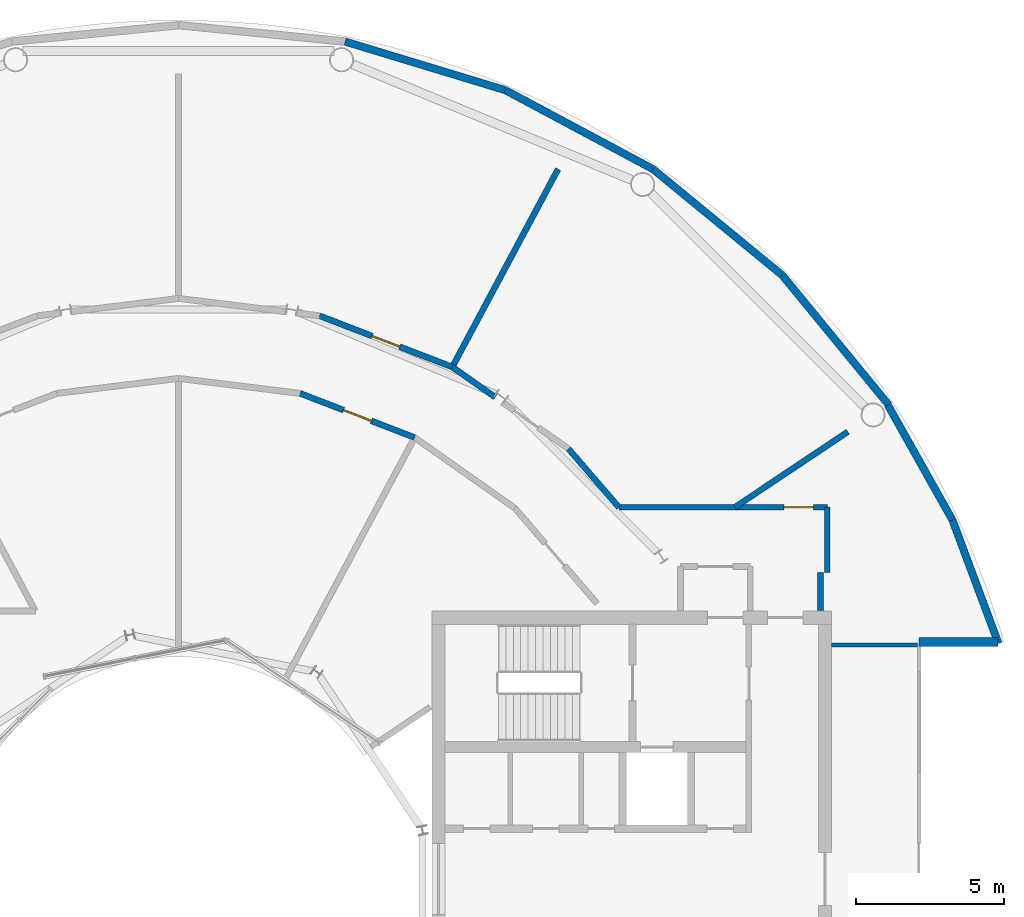
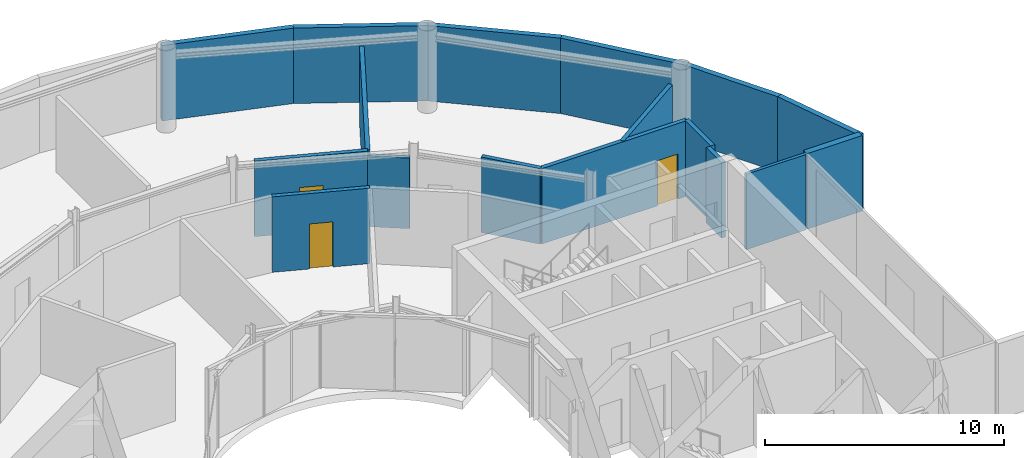
# One storey, part 16 of 19: 17 walls, 3 doors, 3 openings.
"""IFC4 building model written with IfcOpenShell, lengths in metres."""

from ifc_helpers import new_model, si_unit, direction, frame, frame_2d, origin, place, context, subcontext, project, spatial, rectangle, extrude, material, layer, layer_set, type_object, element, fill, save


model = new_model("IFC4")

# Units and contexts
model_context = context("Model", 3, precision=1e-05, world=origin(), true_north=direction((0.0, 1.0)))
body_context = subcontext(model_context, "Body", "Model", "MODEL_VIEW")
ifc_project = project(units=[si_unit("LENGTHUNIT", "METRE"), si_unit("AREAUNIT", "SQUARE_METRE"), si_unit("VOLUMEUNIT", "CUBIC_METRE"), si_unit("PLANEANGLEUNIT", "RADIAN"), si_unit("MASSUNIT", "GRAM", prefix="KILO")], contexts=[model_context])

# Site, building, storey
site_placement = place(None, origin())
site = spatial("IfcSite", under=ifc_project, at=site_placement, CompositionType="ELEMENT")
building_placement = place(site_placement, origin())
building = spatial("IfcBuilding", under=site, at=building_placement, Name="Maasbend Ring Residences", CompositionType="ELEMENT")
storey_placement = place(building_placement, frame((0.0, 0.0, 186.0)))
storey = spatial("IfcBuildingStorey", under=building, at=storey_placement, Name="L53", CompositionType="ELEMENT", Elevation=186.0)

# Walls
ifc_material_1 = material(Name="Concrete C30/37", Category="concrete")
ifc_layer_1 = layer(ifc_material_1, 0.199951171875)
ifc_layer_set_1 = layer_set([ifc_layer_1], Name="Concrete C30/37")
wall_type_1 = type_object("IfcWallType", Name="COMPARTMENT WALL 200 CONCRETE", PredefinedType="PARTITIONING", material=ifc_layer_set_1)
wall_1_placement = place(storey_placement, frame((21.89990234375, 10.35009765625, 0.0), z_axis=(0.0, 0.0, 1.0), x_axis=(0.0, 1.0, 0.0)))
element("IfcWall", 1, at=wall_1_placement, inside=storey, type_object=wall_type_1, Name="U-L53-w001", PredefinedType="PARTITIONING", context=body_context, shape_type="SweptSolid", body=[
    extrude(rectangle(XDim=2.199951171875, YDim=0.199951171875, at=frame_2d((1.10009765625, 0.0))), origin(), (0.0, 0.0, 1.0), 3.85009765625),
])
wall_2_placement = place(storey_placement, frame((21.675048828125, 9.070068359375, 0.0), z_axis=(0.0, 0.0, 1.0), x_axis=(0.0, 1.0, 0.0)))
element("IfcWall", 2, at=wall_2_placement, inside=storey, type_object=wall_type_1, Name="U-L53-w003", PredefinedType="PARTITIONING", context=body_context, shape_type="SweptSolid", body=[
    extrude(rectangle(XDim=1.280029296875, YDim=0.199951171875, at=frame_2d((0.64013671875, 0.0))), origin(), (0.0, 0.0, 1.0), 3.85009765625),
])
wall_3_placement = place(storey_placement, frame((9.241943359375, 17.284912109375, 0.0), z_axis=(0.0, 0.0, 1.0), x_axis=(0.471439510802, 0.881898399848, 0.0)))
element("IfcWall", 3, at=wall_3_placement, inside=storey, type_object=wall_type_1, Name="U-L53-w044", PredefinedType="PARTITIONING", context=body_context, shape_type="SweptSolid", body=[
    extrude(rectangle(XDim=7.57470703125, YDim=0.199951171875, at=frame_2d((3.787353515625, 0.0))), origin(), (0.0, 0.0, 1.0), 3.85009765625),
])
wall_4_placement = place(storey_placement, frame((18.781982421875, 12.550048828125, 0.0), z_axis=(0.0, 0.0, 1.0), x_axis=(0.831460118694, 0.555584440946, 0.0)))
element("IfcWall", 4, at=wall_4_placement, inside=storey, type_object=wall_type_1, Name="U-L53-w046", PredefinedType="PARTITIONING", context=body_context, shape_type="SweptSolid", body=[
    extrude(rectangle(XDim=4.5859375, YDim=0.199951171875, at=frame_2d((2.29296875, 0.0))), origin(), (0.0, 0.0, 1.0), 3.85009765625),
])

# Wall, opening, door
wall_5_placement = place(storey_placement, frame((14.864990234375, 12.550048828125, 0.0), z_axis=(0.0, 0.0, 1.0), x_axis=(1.0, 0.0, 0.0)))
wall_5 = element("IfcWall", 5, at=wall_5_placement, inside=storey, type_object=wall_type_1, Name="U-L53-w052", PredefinedType="PARTITIONING", context=body_context, shape_type="SweptSolid", body=[
    extrude(rectangle(XDim=7.034912109375, YDim=0.199951171875, at=frame_2d((3.517578125, 0.0))), origin(), (0.0, 0.0, 1.0), 3.85009765625),
])
opening_1_placement = place(wall_5_placement, frame((5.56689453125, 0.0, 0.0)))
opening_1 = element("IfcOpeningElement", 6, at=opening_1_placement, cuts=wall_5, Name="Opening D-5322", PredefinedType="OPENING", context=body_context, shape_type="SweptSolid", body=[
    extrude(rectangle(XDim=1.0, YDim=2.300048828125, at=frame_2d((0.5, 1.14990234375))), frame((0.0, 0.10986328125, 0.0), z_axis=(0.0, -1.0, 0.0), x_axis=(1.0, 0.0, 0.0)), (0.0, 0.0, 1.0), 0.219970703125),
])
ifc_material_2 = material(Name="Steel, fire-rated, painted", Category="steel")
door_type = type_object("IfcDoorType", Name="PLANT DOOR 1000 X 2300 FIRE-RATED", OperationType="NOTDEFINED", PredefinedType="DOOR", material=ifc_material_2)
door_1_placement = place(opening_1_placement, origin())
door_1 = element("IfcDoor", 7, at=door_1_placement, inside=storey, type_object=door_type, Name="D-5322", OperationType="SINGLE_SWING_RIGHT", OverallHeight=2.300048828125, OverallWidth=1.0, PredefinedType="DOOR", context=body_context, shape_type="SweptSolid", body=[
    extrude(rectangle(XDim=1.0, YDim=2.300048828125, at=frame_2d((0.5, 1.14990234375))), frame((0.0, 0.02490234375, 0.0), z_axis=(0.0, -1.0, 0.0), x_axis=(1.0, 0.0, 0.0)), (0.0, 0.0, 1.0), 0.050048828125),
])
fill(opening_1, door_1)

wall_6_placement = place(storey_placement, frame((4.10595703125, 16.39404296875, 0.0), z_axis=(0.0, 0.0, 1.0), x_axis=(0.932943640288, -0.360022449363, 0.0)))
wall_6 = element("IfcWall", 8, at=wall_6_placement, inside=storey, type_object=wall_type_1, Name="U-L53-w058", PredefinedType="PARTITIONING", context=body_context, shape_type="SweptSolid", body=[
    extrude(rectangle(XDim=4.138671875, YDim=0.199951171875, at=frame_2d((2.0693359375, 0.0))), origin(), (0.0, 0.0, 1.0), 3.85009765625),
])
opening_2_placement = place(wall_6_placement, frame((1.569091796875, 0.0, 0.0)))
opening_2 = element("IfcOpeningElement", 9, at=opening_2_placement, cuts=wall_6, Name="Opening D-5308", PredefinedType="OPENING", context=body_context, shape_type="SweptSolid", body=[
    extrude(rectangle(XDim=1.0, YDim=2.300048828125, at=frame_2d((0.5, 1.14990234375))), frame((0.0, 0.10986328125, 0.0), z_axis=(0.0, -1.0, 0.0), x_axis=(1.0, 0.0, 0.0)), (0.0, 0.0, 1.0), 0.219970703125),
])
door_2_placement = place(opening_2_placement, origin())
door_2 = element("IfcDoor", 10, at=door_2_placement, inside=storey, type_object=door_type, Name="D-5308", OperationType="SINGLE_SWING_LEFT", OverallHeight=2.300048828125, OverallWidth=1.0, PredefinedType="DOOR", context=body_context, shape_type="SweptSolid", body=[
    extrude(rectangle(XDim=1.0, YDim=2.300048828125, at=frame_2d((0.5, 1.14990234375))), frame((0.0, 0.02490234375, 0.0), z_axis=(0.0, -1.0, 0.0), x_axis=(1.0, 0.0, 0.0)), (0.0, 0.0, 1.0), 0.050048828125),
])
fill(opening_2, door_2)

wall_7_placement = place(storey_placement, frame((4.761962890625, 19.012939453125, 0.0), z_axis=(0.0, 0.0, 1.0), x_axis=(0.932988479706, -0.359906233255, 0.0)))
wall_7 = element("IfcWall", 11, at=wall_7_placement, inside=storey, type_object=wall_type_1, Name="U-L53-w071", PredefinedType="PARTITIONING", context=body_context, shape_type="SweptSolid", body=[
    extrude(rectangle(XDim=4.798583984375, YDim=0.199951171875, at=frame_2d((2.3994140625, 0.0))), origin(), (0.0, 0.0, 1.0), 3.85009765625),
])
opening_3_placement = place(wall_7_placement, frame((1.89892578125, 0.0, 0.0)))
opening_3 = element("IfcOpeningElement", 12, at=opening_3_placement, cuts=wall_7, Name="Opening D-5304", PredefinedType="OPENING", context=body_context, shape_type="SweptSolid", body=[
    extrude(rectangle(XDim=1.0, YDim=2.300048828125, at=frame_2d((0.5, 1.14990234375))), frame((0.0, 0.10986328125, 0.0), z_axis=(0.0, -1.0, 0.0), x_axis=(1.0, 0.0, 0.0)), (0.0, 0.0, 1.0), 0.219970703125),
])
door_3_placement = place(opening_3_placement, origin())
door_3 = element("IfcDoor", 13, at=door_3_placement, inside=storey, type_object=door_type, Name="D-5304", OperationType="SINGLE_SWING_RIGHT", OverallHeight=2.300048828125, OverallWidth=1.0, PredefinedType="DOOR", context=body_context, shape_type="SweptSolid", body=[
    extrude(rectangle(XDim=1.0, YDim=2.300048828125, at=frame_2d((0.5, 1.14990234375))), frame((0.0, 0.02490234375, 0.0), z_axis=(0.0, -1.0, 0.0), x_axis=(1.0, 0.0, 0.0)), (0.0, 0.0, 1.0), 0.050048828125),
])
fill(opening_3, door_3)

# Walls
wall_8_placement = place(storey_placement, frame((9.239013671875, 17.285888671875, 0.0), z_axis=(0.0, 0.0, 1.0), x_axis=(0.817772792535, -0.575541188613, 0.0)))
element("IfcWall", 14, at=wall_8_placement, inside=storey, type_object=wall_type_1, Name="U-L53-w072", PredefinedType="PARTITIONING", context=body_context, shape_type="SweptSolid", body=[
    extrude(rectangle(XDim=1.77197265625, YDim=0.199951171875, at=frame_2d((0.885986328125, 0.0))), origin(), (0.0, 0.0, 1.0), 3.60009765625),
])
wall_9_placement = place(storey_placement, frame((13.1630859375, 14.52294921875, 0.0), z_axis=(0.0, 0.0, 1.0), x_axis=(0.653045064141, -0.757319050467, 0.0)))
element("IfcWall", 15, at=wall_9_placement, inside=storey, type_object=wall_type_1, Name="U-L53-w074", PredefinedType="PARTITIONING", context=body_context, shape_type="SweptSolid", body=[
    extrude(rectangle(XDim=2.610595703125, YDim=0.199951171875, at=frame_2d((1.30517578125, 0.0))), origin(), (0.0, 0.0, 1.0), 3.85009765625),
])
ifc_material_3 = material(Name="Louvred aluminium panel", Category="aluminium")
ifc_layer_2 = layer(ifc_material_3, 0.25)
ifc_layer_set_2 = layer_set([ifc_layer_2], Name="EW-LV")
wall_type_2 = type_object("IfcWallType", Name="EW-LV", PredefinedType="SOLIDWALL", material=ifc_layer_set_2)
for number, where, z_axis, x_axis, name in (
    (16, (23.967041015625, 16.013916015625, 0.0), (0.0, 0.0, 1.0), (-0.634403999748, 0.773001659186, 0.0), "External wall N01"),
    (17, (20.382080078125, 20.382080078125, 0.0), (0.0, 0.0, 1.0), (-0.773001659186, 0.634403999748, 0.0), "External wall N02"),
):
    element("IfcWall", number, at=place(storey_placement, frame(where, z_axis=z_axis, x_axis=x_axis)), inside=storey, type_object=wall_type_2, Name=name, PredefinedType="SOLIDWALL", context=body_context, shape_type="SweptSolid", body=[
        extrude(rectangle(XDim=5.65087890625, YDim=0.25, at=frame_2d((2.825439453125, 0.0))), origin(), (0.0, 0.0, 1.0), 3.85009765625),
    ])
wall_10_placement = place(storey_placement, frame((16.013916015625, 23.967041015625, 0.0), z_axis=(0.0, 0.0, 1.0), x_axis=(-0.881874058161, 0.471485042756, 0.0)))
element("IfcWall", 18, at=wall_10_placement, inside=storey, type_object=wall_type_2, Name="External wall N03", PredefinedType="SOLIDWALL", context=body_context, shape_type="SweptSolid", body=[
    extrude(rectangle(XDim=5.650390625, YDim=0.25, at=frame_2d((2.8251953125, 0.0))), origin(), (0.0, 0.0, 1.0), 3.85009765625),
])
wall_11_placement = place(storey_placement, frame((11.031005859375, 26.631103515625, 0.0), z_axis=(0.0, 0.0, 1.0), x_axis=(-0.956969521741, 0.29018844646, 0.0)))
element("IfcWall", 19, at=wall_11_placement, inside=storey, type_object=wall_type_2, Name="External wall N04", PredefinedType="SOLIDWALL", context=body_context, shape_type="SweptSolid", body=[
    extrude(rectangle(XDim=5.651123046875, YDim=0.25, at=frame_2d((2.82568359375, 0.0))), origin(), (0.0, 0.0, 1.0), 3.85009765625),
])
wall_12_placement = place(storey_placement, frame((27.681884765625, 7.945068359375, 0.0), z_axis=(0.0, 0.0, 1.0), x_axis=(-0.349247811493, 0.937030397675, 0.0)))
element("IfcWall", 20, at=wall_12_placement, inside=storey, type_object=wall_type_2, Name="Horn wall 1.1", PredefinedType="SOLIDWALL", context=body_context, shape_type="SweptSolid", body=[
    extrude(rectangle(XDim=4.4521484375, YDim=0.25, at=frame_2d((2.22607421875, 0.0))), origin(), (0.0, 0.0, 1.0), 3.85009765625),
])
wall_13_placement = place(storey_placement, frame((26.126953125, 12.116943359375, 0.0), z_axis=(0.0, 0.0, 1.0), x_axis=(-0.489696356642, 0.871893042919, 0.0)))
element("IfcWall", 21, at=wall_13_placement, inside=storey, type_object=wall_type_2, Name="Horn wall 1.2", PredefinedType="SOLIDWALL", context=body_context, shape_type="SweptSolid", body=[
    extrude(rectangle(XDim=4.45361328125, YDim=0.25, at=frame_2d((2.226806640625, 0.0))), origin(), (0.0, 0.0, 1.0), 3.85009765625),
])
ifc_material_4 = material(Name="Aluminium clad insulated panel", Category="aluminium")
ifc_layer_3 = layer(ifc_material_4, 0.300048828125)
ifc_layer_set_3 = layer_set([ifc_layer_3], Name="EW-RET")
wall_type_3 = type_object("IfcWallType", Name="EW-RET", PredefinedType="SOLIDWALL", material=ifc_layer_set_3)
wall_14_placement = place(storey_placement, frame((25.0, 8.0, 0.0), z_axis=(0.0, 0.0, 1.0), x_axis=(1.0, 0.0, 0.0)))
element("IfcWall", 22, at=wall_14_placement, inside=storey, type_object=wall_type_3, Name="Notch return wall east north", PredefinedType="SOLIDWALL", context=body_context, shape_type="SweptSolid", body=[
    extrude(rectangle(XDim=2.6669921875, YDim=0.300048828125, at=frame_2d((1.33349609375, 0.0))), origin(), (0.0, 0.0, 1.0), 3.85009765625),
])
ifc_material_5 = material(Name="Gypsum board on steel studs", Category="steel")
ifc_layer_4 = layer(ifc_material_5, 0.14990234375)
ifc_layer_set_4 = layer_set([ifc_layer_4], Name="PARTITION 150 EI 60")
wall_type_4 = type_object("IfcWallType", Name="PARTITION 150 EI 60", PredefinedType="PARTITIONING", material=ifc_layer_set_4)
wall_15_placement = place(storey_placement, frame((22.050048828125, 7.89990234375, 0.0), z_axis=(0.0, 0.0, 1.0), x_axis=(1.0, 0.0, 0.0)))
element("IfcWall", 23, at=wall_15_placement, inside=storey, type_object=wall_type_4, Name="L53 core E wall CITN", PredefinedType="PARTITIONING", context=body_context, shape_type="SweptSolid", body=[
    extrude(rectangle(XDim=2.889892578125, YDim=0.14990234375, at=frame_2d((1.44482421875, 0.0))), origin(), (0.0, 0.0, 1.0), 3.85009765625),
])

save(model, "model.ifc")
